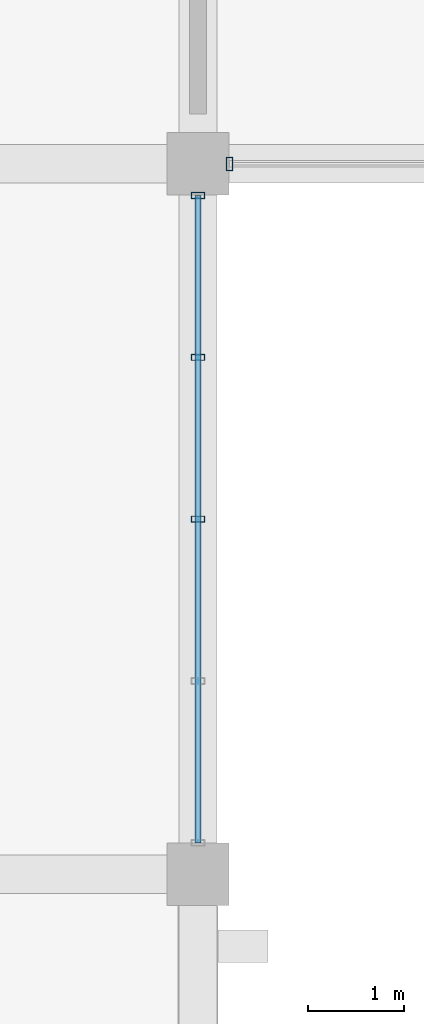
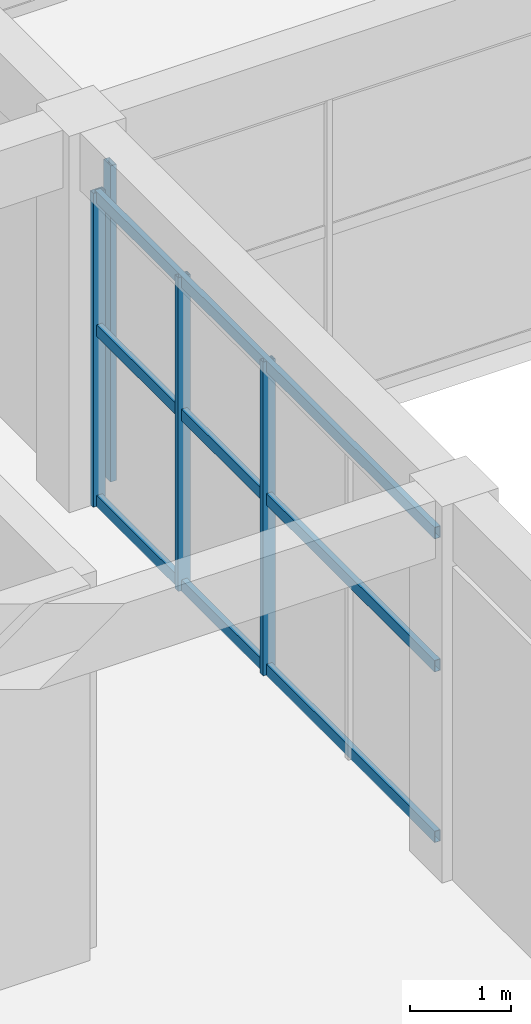
# One storey, part 113 of 161: 7 members, 2 elements without a shape of their own.
"""IFC4 building model written with IfcOpenShell, lengths in metres."""

from ifc_helpers import new_model, si_unit, direction, frame, origin, origin_2d, place, context, subcontext, project, spatial, hollow_rectangle, extrude, material, material_profile, profile_set, type_object, element, aggregate, save


model = new_model("IFC4")

# Units and contexts
model_context = context("Model", 3, precision=1e-05, world=origin(), true_north=direction((0.0, 1.0)))
body_context = subcontext(model_context, "Body", "Model", "MODEL_VIEW")
ifc_project = project(units=[si_unit("LENGTHUNIT", "METRE"), si_unit("AREAUNIT", "SQUARE_METRE"), si_unit("VOLUMEUNIT", "CUBIC_METRE"), si_unit("PLANEANGLEUNIT", "RADIAN"), si_unit("MASSUNIT", "GRAM", prefix="KILO")], contexts=[model_context])

# Site, building, storey
site_placement = place(None, origin())
site = spatial("IfcSite", under=ifc_project, at=site_placement, CompositionType="ELEMENT")
building_placement = place(site_placement, origin())
building = spatial("IfcBuilding", under=site, at=building_placement, Name="Cimatlan Art Gallery", CompositionType="ELEMENT")
storey_placement = place(building_placement, frame((0.0, 0.0, 5.39990234375)))
storey = spatial("IfcBuildingStorey", under=building, at=storey_placement, Name="L01", CompositionType="ELEMENT", Elevation=5.39990234375)

# Curtain wall, members
ifc_material_1 = material(Name="Anodised bronze unitised curtain wall")
curtain_wall_type_1 = type_object("IfcCurtainWallType", Name="CW-V-06742X03800-B4", PredefinedType="NOTDEFINED", material=ifc_material_1)
curtain_wall_1_placement = place(storey_placement, origin())
curtain_wall_1 = element("IfcCurtainWall", 1, at=curtain_wall_1_placement, inside=storey, type_object=curtain_wall_type_1, Name="CW-L01-15-06-E", PredefinedType="NOTDEFINED")
ifc_material_2 = material(Name="Anodised bronze aluminium 6063-T6", Category="aluminium")
ifc_material_profile_1 = material_profile(ifc_material_2, hollow_rectangle(XDim=0.06494140625, YDim=0.139892578125, WallThickness=0.00390625, at=origin_2d()), Name="ALU65X140X4")
ifc_profile_set_1 = profile_set([ifc_material_profile_1], Name="Anodised bronze aluminium 6063-T6")
member_type_1 = type_object("IfcMemberType", Name="CW-MUL-140", PredefinedType="MULLION", material=ifc_profile_set_1)
member_1_placement = place(storey_placement, frame((131.60009765625, 53.1708984375, 0.0), z_axis=(0.0, 0.0, 1.0), x_axis=(0.0, 1.0, 0.0)))
member_1 = element("IfcMember", 2, at=member_1_placement, type_object=member_type_1, Name="CW-L01-15-06-E-M1", PredefinedType="MULLION", context=body_context, shape_type="SweptSolid", body=[
    extrude(hollow_rectangle(XDim=0.06494140625, YDim=0.139892578125, WallThickness=0.00390625, at=origin_2d()), origin(), (0.0, 0.0, 1.0), 3.800048828125),
])
member_2_placement = place(storey_placement, frame((131.60009765625, 51.485595703125, 0.0), z_axis=(0.0, 0.0, 1.0), x_axis=(0.0, 1.0, 0.0)))
member_2 = element("IfcMember", 3, at=member_2_placement, type_object=member_type_1, Name="CW-L01-15-06-E-M2", PredefinedType="MULLION", context=body_context, shape_type="SweptSolid", body=[
    extrude(hollow_rectangle(XDim=0.06494140625, YDim=0.139892578125, WallThickness=0.00390625, at=origin_2d()), origin(), (0.0, 0.0, 1.0), 3.800048828125),
])
member_3_placement = place(storey_placement, frame((131.60009765625, 49.800048828125, 0.0), z_axis=(0.0, 0.0, 1.0), x_axis=(0.0, 1.0, 0.0)))
member_3 = element("IfcMember", 4, at=member_3_placement, type_object=member_type_1, Name="CW-L01-15-06-E-M3", PredefinedType="MULLION", context=body_context, shape_type="SweptSolid", body=[
    extrude(hollow_rectangle(XDim=0.06494140625, YDim=0.139892578125, WallThickness=0.00390625, at=origin_2d()), origin(), (0.0, 0.0, 1.0), 3.800048828125),
])

# Curtain wall, member
curtain_wall_type_2 = type_object("IfcCurtainWallType", Name="CW-V-07442X03830-B3", PredefinedType="NOTDEFINED", material=ifc_material_1)
curtain_wall_2_placement = place(storey_placement, origin())
curtain_wall_2 = element("IfcCurtainWall", 5, at=curtain_wall_2_placement, inside=storey, type_object=curtain_wall_type_2, Name="CW-L01-16-07-S", PredefinedType="NOTDEFINED")
member_4_placement = place(storey_placement, frame((131.928955078125, 53.5, 0.0), z_axis=(0.0, 0.0, 1.0), x_axis=(1.0, 0.0, 0.0)))
member_4 = element("IfcMember", 6, at=member_4_placement, type_object=member_type_1, Name="CW-L01-16-07-S-M4", PredefinedType="MULLION", context=body_context, shape_type="SweptSolid", body=[
    extrude(hollow_rectangle(XDim=0.06494140625, YDim=0.139892578125, WallThickness=0.00390625, at=origin_2d()), origin(), (0.0, 0.0, 1.0), 3.830078125),
])
aggregate(curtain_wall_2, [member_4])

# Member
ifc_material_profile_2 = material_profile(ifc_material_2, hollow_rectangle(XDim=0.06494140625, YDim=0.139892578125, WallThickness=0.00390625, at=origin_2d()), Name="ALU65X140X4")
ifc_profile_set_2 = profile_set([ifc_material_profile_2], Name="Anodised bronze aluminium 6063-T6")
member_type_2 = type_object("IfcMemberType", Name="CW-TRN-140", PredefinedType="USERDEFINED", material=ifc_profile_set_2)
member_5_placement = place(storey_placement, frame((131.60009765625, 53.1708984375, 0.06005859375), z_axis=(0.0, -1.0, 0.0), x_axis=(1.0, 0.0, 0.0)))
member_5 = element("IfcMember", 7, at=member_5_placement, type_object=member_type_2, Name="CW-L01-15-06-E-T1", ObjectType="TRANSOM", PredefinedType="USERDEFINED", context=body_context, shape_type="SweptSolid", body=[
    extrude(hollow_rectangle(XDim=0.06494140625, YDim=0.139892578125, WallThickness=0.00390625, at=origin_2d()), origin(), (0.0, 0.0, 1.0), 6.741943359375),
])

member_6_placement = place(storey_placement, frame((131.60009765625, 53.1708984375, 2.128173828125), z_axis=(0.0, -1.0, 0.0), x_axis=(1.0, 0.0, 0.0)))
member_6 = element("IfcMember", 8, at=member_6_placement, type_object=member_type_2, Name="CW-L01-15-06-E-T2", ObjectType="TRANSOM", PredefinedType="USERDEFINED", context=body_context, shape_type="SweptSolid", body=[
    extrude(hollow_rectangle(XDim=0.06494140625, YDim=0.139892578125, WallThickness=0.00390625, at=origin_2d()), origin(), (0.0, 0.0, 1.0), 6.741943359375),
])

member_7_placement = place(storey_placement, frame((131.60009765625, 53.1708984375, 3.739990234375), z_axis=(0.0, -1.0, 0.0), x_axis=(1.0, 0.0, 0.0)))
member_7 = element("IfcMember", 9, at=member_7_placement, type_object=member_type_2, Name="CW-L01-15-06-E-T3", ObjectType="TRANSOM", PredefinedType="USERDEFINED", context=body_context, shape_type="SweptSolid", body=[
    extrude(hollow_rectangle(XDim=0.06494140625, YDim=0.139892578125, WallThickness=0.00390625, at=origin_2d()), origin(), (0.0, 0.0, 1.0), 6.741943359375),
])

aggregate(curtain_wall_1, [member_1, member_2, member_3, member_5, member_6, member_7])

save(model, "model.ifc")
